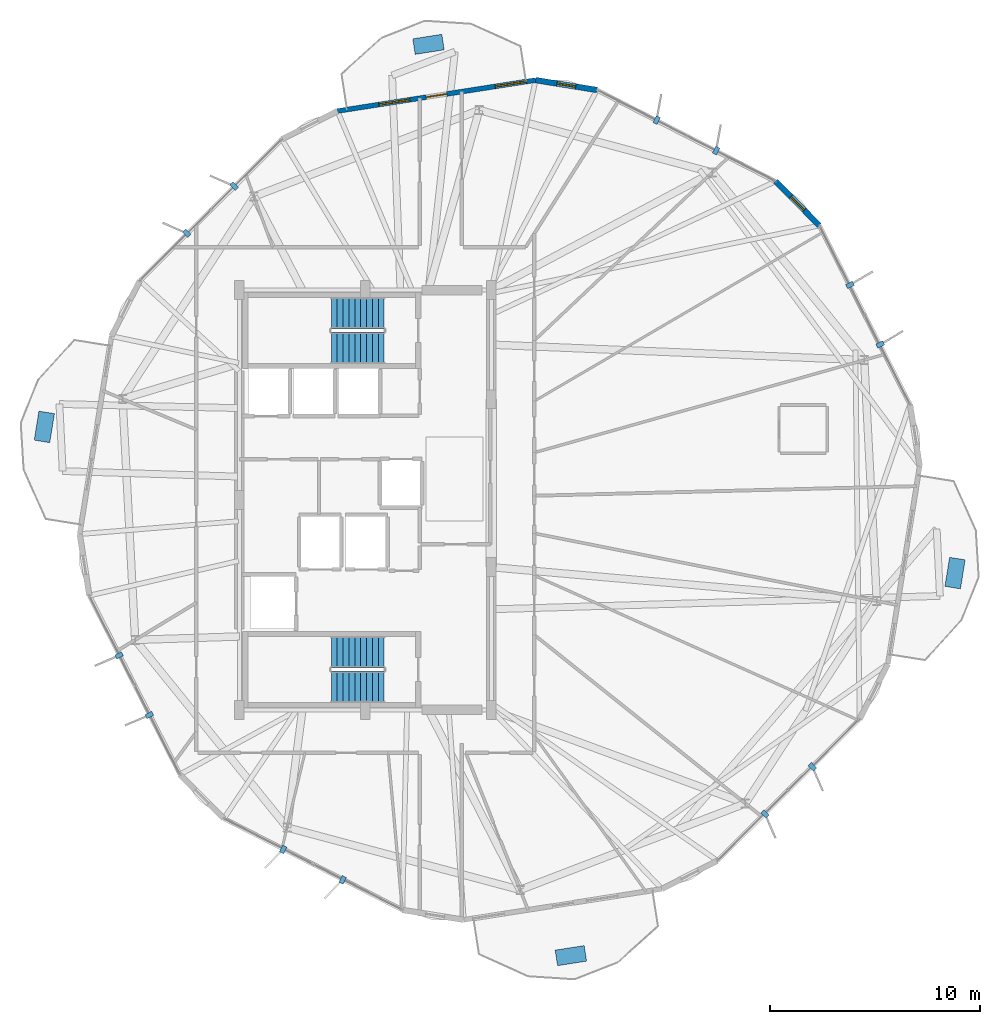
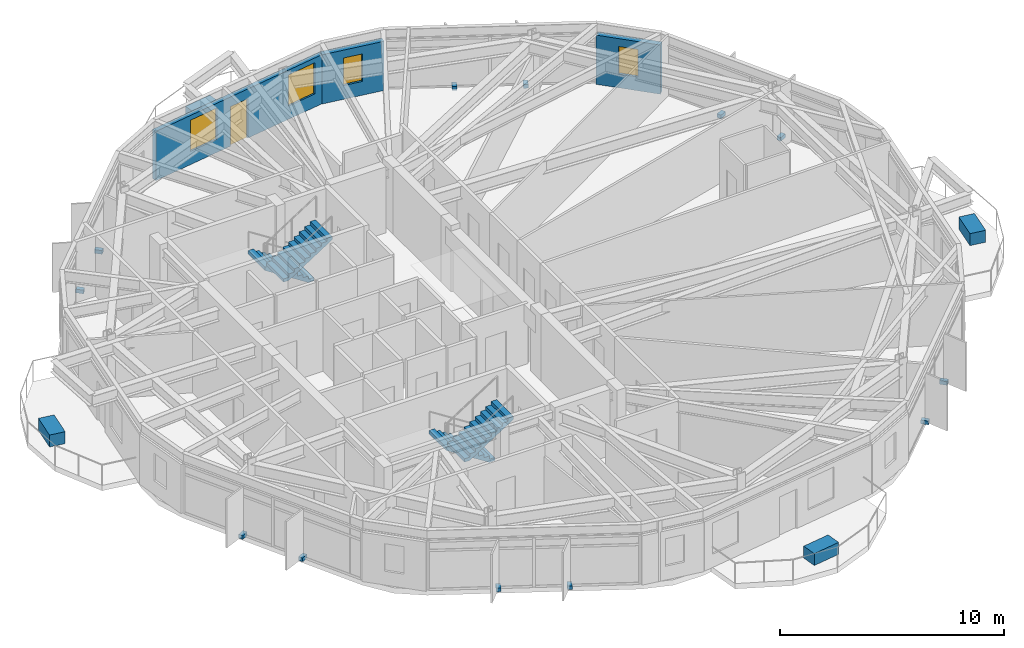
# One storey, part 24 of 27: 16 discrete accessories, 4 stair flights, 4 windows, 3 walls, 1 door, 5 openings, 2 elements without a shape of their own.
"""IFC4 building model written with IfcOpenShell, lengths in metres."""

from ifc_helpers import new_model, si_unit, direction, frame, frame_2d, origin, origin_2d, place, context, subcontext, project, spatial, polyline, rectangle, outline, extrude, material, layer, layer_set, type_object, element, fill, aggregate, save


model = new_model("IFC4")

# Units and contexts
model_context = context("Model", 3, precision=1e-05, world=origin(), true_north=direction((0.0, 1.0)))
body_context = subcontext(model_context, "Body", "Model", "MODEL_VIEW")
ifc_project = project(units=[si_unit("LENGTHUNIT", "METRE"), si_unit("AREAUNIT", "SQUARE_METRE"), si_unit("VOLUMEUNIT", "CUBIC_METRE"), si_unit("PLANEANGLEUNIT", "RADIAN"), si_unit("MASSUNIT", "GRAM", prefix="KILO")], contexts=[model_context])

# Site, building, storey
site_placement = place(None, origin())
site = spatial("IfcSite", under=ifc_project, at=site_placement, CompositionType="ELEMENT")
building_placement = place(site_placement, origin())
building = spatial("IfcBuilding", under=site, at=building_placement, Name="Soratama Intermodal Tower", CompositionType="ELEMENT")
storey_placement = place(building_placement, frame((0.0, 0.0, 197.800048828125)))
storey = spatial("IfcBuildingStorey", under=building, at=storey_placement, Name="L49", CompositionType="ELEMENT", Elevation=197.800048828125)

# Wall, openings, door, windows
ifc_material_1 = material(Name="Concrete f'c 42 MPa", Category="concrete")
ifc_layer_1 = layer(ifc_material_1, 0.22998046875)
ifc_layer_set_1 = layer_set([ifc_layer_1], Name="Concrete f'c 42 MPa")
wall_type_1 = type_object("IfcWallType", Name="EW-BAL-230", PredefinedType="SOLIDWALL", material=ifc_layer_set_1)
wall_1_placement = place(storey_placement, frame((46.708984375, 45.003173828125, 0.0), z_axis=(0.0, 0.0, 1.0), x_axis=(-0.988013251918, -0.154369083801, 0.0)))
wall_1 = element("IfcWall", 1, at=wall_1_placement, inside=storey, type_object=wall_type_1, Name="L49 Terrace Wall F02", PredefinedType="SOLIDWALL", context=body_context, shape_type="SweptSolid", body=[
    extrude(rectangle(XDim=9.552490234375, YDim=0.22998046875, at=frame_2d((4.7763671875, 0.0))), origin(), (0.0, 0.0, 1.0), 2.678955078125),
])
opening_1_placement = place(wall_1_placement, frame((4.276123046875, 0.0, 0.0)))
opening_1 = element("IfcOpeningElement", 2, at=opening_1_placement, cuts=wall_1, Name="Opening ED-2", PredefinedType="OPENING", context=body_context, shape_type="SweptSolid", body=[
    extrude(rectangle(XDim=1.0, YDim=2.14990234375, at=frame_2d((0.5, 1.074951171875))), frame((0.0, 0.125, 0.0), z_axis=(0.0, -1.0, 0.0), x_axis=(1.0, 0.0, 0.0)), (0.0, 0.0, 1.0), 0.25),
])
opening_2_placement = place(wall_1_placement, frame((0.43994140625, 0.0, 0.719970703125)))
opening_2 = element("IfcOpeningElement", 3, at=opening_2_placement, cuts=wall_1, Name="Opening WN-1", PredefinedType="OPENING", context=body_context, shape_type="SweptSolid", body=[
    extrude(rectangle(XDim=1.5, YDim=1.699951171875, at=frame_2d((0.75, 0.85009765625))), frame((0.0, 0.125, 0.0), z_axis=(0.0, -1.0, 0.0), x_axis=(1.0, 0.0, 0.0)), (0.0, 0.0, 1.0), 0.25),
])
opening_3_placement = place(wall_1_placement, frame((6.0576171875, 0.0, 0.719970703125)))
opening_3 = element("IfcOpeningElement", 4, at=opening_3_placement, cuts=wall_1, Name="Opening WN-1", PredefinedType="OPENING", context=body_context, shape_type="SweptSolid", body=[
    extrude(rectangle(XDim=1.5, YDim=1.699951171875, at=frame_2d((0.75, 0.85009765625))), frame((0.0, 0.125, 0.0), z_axis=(0.0, -1.0, 0.0), x_axis=(1.0, 0.0, 0.0)), (0.0, 0.0, 1.0), 0.25),
])
ifc_material_2 = material(Name="Double-glazed aluminium door", Category="aluminium")
door_type = type_object("IfcDoorType", Name="DR-BAL-1000", OperationType="NOTDEFINED", PredefinedType="DOOR", material=ifc_material_2)
door_placement = place(opening_1_placement, origin())
door = element("IfcDoor", 5, at=door_placement, inside=storey, type_object=door_type, Name="L49 Balcony Door F02", OperationType="SINGLE_SWING_RIGHT", OverallHeight=2.14990234375, OverallWidth=1.0, PredefinedType="DOOR", context=body_context, shape_type="SweptSolid", body=[
    extrude(rectangle(XDim=1.0, YDim=2.14990234375, at=frame_2d((0.5, 1.074951171875))), frame((0.0, 0.02490234375, 0.0), z_axis=(0.0, -1.0, 0.0), x_axis=(1.0, 0.0, 0.0)), (0.0, 0.0, 1.0), 0.050048828125),
])
fill(opening_1, door)
ifc_material_3 = material(Name="Double-glazed aluminium window", Category="aluminium")
window_type_1 = type_object("IfcWindowType", Name="WN-FAC-1500", PartitioningType="SINGLE_PANEL", PredefinedType="WINDOW", material=ifc_material_3)
window_1_placement = place(opening_2_placement, origin())
window_1 = element("IfcWindow", 6, at=window_1_placement, inside=storey, type_object=window_type_1, Name="L49 Window A F02", OverallHeight=1.699951171875, OverallWidth=1.5, PartitioningType="SINGLE_PANEL", PredefinedType="WINDOW", context=body_context, shape_type="SweptSolid", body=[
    extrude(rectangle(XDim=1.5, YDim=1.699951171875, at=frame_2d((0.75, 0.85009765625))), frame((0.0, 0.030029296875, 0.0), z_axis=(0.0, -1.0, 0.0), x_axis=(1.0, 0.0, 0.0)), (0.0, 0.0, 1.0), 0.06005859375),
])
fill(opening_2, window_1)
window_2_placement = place(opening_3_placement, origin())
window_2 = element("IfcWindow", 7, at=window_2_placement, inside=storey, type_object=window_type_1, Name="L49 Window B F02", OverallHeight=1.699951171875, OverallWidth=1.5, PartitioningType="SINGLE_PANEL", PredefinedType="WINDOW", context=body_context, shape_type="SweptSolid", body=[
    extrude(rectangle(XDim=1.5, YDim=1.699951171875, at=frame_2d((0.75, 0.85009765625))), frame((0.0, 0.030029296875, 0.0), z_axis=(0.0, -1.0, 0.0), x_axis=(1.0, 0.0, 0.0)), (0.0, 0.0, 1.0), 0.06005859375),
])
fill(opening_3, window_2)

# Wall, opening, window
ifc_material_4 = material(Name="Concrete f'c 42 MPa", Category="concrete")
ifc_layer_2 = layer(ifc_material_4, 0.27001953125)
ifc_layer_set_2 = layer_set([ifc_layer_2], Name="Concrete f'c 42 MPa")
wall_type_2 = type_object("IfcWallType", Name="EW-CRN-270", PredefinedType="SOLIDWALL", material=ifc_layer_set_2)
wall_2_placement = place(storey_placement, frame((49.637939453125, 44.532958984375, 0.0), z_axis=(0.0, 0.0, 1.0), x_axis=(-0.987357295895, 0.158510473609, 0.0)))
wall_2 = element("IfcWall", 8, at=wall_2_placement, inside=storey, type_object=wall_type_2, Name="L49 Corner Closure Wall 01", PredefinedType="SOLIDWALL", context=body_context, shape_type="SweptSolid", body=[
    extrude(rectangle(XDim=2.966552734375, YDim=0.27001953125, at=frame_2d((1.4833984375, 0.0))), origin(), (0.0, 0.0, 1.0), 2.678955078125),
])
opening_4_placement = place(wall_2_placement, frame((1.033203125, 0.0, 0.75)))
opening_4 = element("IfcOpeningElement", 9, at=opening_4_placement, cuts=wall_2, Name="Opening WN-6", PredefinedType="OPENING", context=body_context, shape_type="SweptSolid", body=[
    extrude(rectangle(XDim=0.89990234375, YDim=1.5, at=frame_2d((0.449951171875, 0.75))), frame((0.0, 0.14501953125, 0.0), z_axis=(0.0, -1.0, 0.0), x_axis=(1.0, 0.0, 0.0)), (0.0, 0.0, 1.0), 0.2900390625),
])
ifc_material_5 = material(Name="Double-glazed aluminium window", Category="aluminium")
window_type_2 = type_object("IfcWindowType", Name="WN-FAC-900", PartitioningType="SINGLE_PANEL", PredefinedType="WINDOW", material=ifc_material_5)
window_3_placement = place(opening_4_placement, origin())
window_3 = element("IfcWindow", 10, at=window_3_placement, inside=storey, type_object=window_type_2, Name="L49 Corner Window 01", OverallHeight=1.5, OverallWidth=0.89990234375, PartitioningType="SINGLE_PANEL", PredefinedType="WINDOW", context=body_context, shape_type="SweptSolid", body=[
    extrude(rectangle(XDim=0.89990234375, YDim=1.5, at=frame_2d((0.449951171875, 0.75))), frame((0.0, 0.030029296875, 0.0), z_axis=(0.0, -1.0, 0.0), x_axis=(1.0, 0.0, 0.0)), (0.0, 0.0, 1.0), 0.06005859375),
])
fill(opening_4, window_3)

wall_3_placement = place(storey_placement, frame((60.2333984375, 38.076416015625, 0.0), z_axis=(0.0, 0.0, 1.0), x_axis=(-0.705623863774, 0.708586595183, 0.0)))
wall_3 = element("IfcWall", 11, at=wall_3_placement, inside=storey, type_object=wall_type_2, Name="L49 Corner Closure Wall 10", PredefinedType="SOLIDWALL", context=body_context, shape_type="SweptSolid", body=[
    extrude(rectangle(XDim=2.966552734375, YDim=0.27001953125, at=frame_2d((1.4833984375, 0.0))), origin(), (0.0, 0.0, 1.0), 2.678955078125),
])
opening_5_placement = place(wall_3_placement, frame((1.033203125, 0.0, 0.75)))
opening_5 = element("IfcOpeningElement", 12, at=opening_5_placement, cuts=wall_3, Name="Opening WN-6", PredefinedType="OPENING", context=body_context, shape_type="SweptSolid", body=[
    extrude(rectangle(XDim=0.89990234375, YDim=1.5, at=frame_2d((0.449951171875, 0.75))), frame((0.0, 0.14501953125, 0.0), z_axis=(0.0, -1.0, 0.0), x_axis=(1.0, 0.0, 0.0)), (0.0, 0.0, 1.0), 0.2900390625),
])
window_4_placement = place(opening_5_placement, origin())
window_4 = element("IfcWindow", 13, at=window_4_placement, inside=storey, type_object=window_type_2, Name="L49 Corner Window 10", OverallHeight=1.5, OverallWidth=0.89990234375, PartitioningType="SINGLE_PANEL", PredefinedType="WINDOW", context=body_context, shape_type="SweptSolid", body=[
    extrude(rectangle(XDim=0.89990234375, YDim=1.5, at=frame_2d((0.449951171875, 0.75))), frame((0.0, 0.030029296875, 0.0), z_axis=(0.0, -1.0, 0.0), x_axis=(1.0, 0.0, 0.0)), (0.0, 0.0, 1.0), 0.06005859375),
])
fill(opening_5, window_4)

# Stair, stair flights
ifc_material_6 = material(Name="Concrete f'c 42 MPa", Category="concrete")
stair_type = type_object("IfcStairType", Name="ST-CORE-DOGLEG", PredefinedType="HALF_TURN_STAIR", material=ifc_material_6)
stair_1_placement = place(storey_placement, origin())
stair_1 = element("IfcStair", 14, at=stair_1_placement, inside=storey, type_object=stair_type, Name="L49 ST-1", PredefinedType="HALF_TURN_STAIR")
ifc_material_7 = material(Name="Precast concrete f'c 40 MPa", Category="concrete")
ifc_layer_3 = layer(ifc_material_7, 0.199951171875)
ifc_layer_set_3 = layer_set([ifc_layer_3], Name="Precast concrete f'c 40 MPa")
stair_flight_type = type_object("IfcStairFlightType", Name="SF-FLIGHT-RC", PredefinedType="STRAIGHT", material=ifc_layer_set_3)
stair_flight_1_placement = place(storey_placement, frame((39.5, 17.75, 0.0), z_axis=(0.0, 0.0, 1.0), x_axis=(-1.0, 0.0, 0.0)))
stair_flight_1 = element("IfcStairFlight", 15, at=stair_flight_1_placement, type_object=stair_flight_type, Name="ST-1 flight 1", NumberOfRisers=10, NumberOfTreads=9, PredefinedType="STRAIGHT", RiserHeight=0.18, TreadLength=0.28, context=body_context, shape_type="SweptSolid", body=[
    extrude(outline(polyline([(0.0, 0.0), (0.0, 0.179931640625), (0.280029296875, 0.179931640625), (0.280029296875, 0.360107421875), (0.56005859375, 0.360107421875), (0.56005859375, 0.5400390625), (0.840087890625, 0.5400390625), (0.840087890625, 0.719970703125), (1.1201171875, 0.719970703125), (1.1201171875, 0.89990234375), (1.39990234375, 0.89990234375), (1.39990234375, 1.080078125), (1.679931640625, 1.080078125), (1.679931640625, 1.260009765625), (1.9599609375, 1.260009765625), (1.9599609375, 1.43994140625), (2.239990234375, 1.43994140625), (2.239990234375, 1.6201171875), (2.52001953125, 1.6201171875), (2.52001953125, 1.800048828125), (2.52001953125, 1.44189453125), (0.277099609375, 0.0), (0.0, 0.0)])), frame((0.0, 0.75, 0.0), z_axis=(0.0, -1.0, 0.0), x_axis=(1.0, 0.0, 0.0)), (0.0, 0.0, 1.0), 1.5),
])
stair_flight_2_placement = place(storey_placement, frame((36.97998046875, 16.10009765625, 1.800048828125), z_axis=(0.0, 0.0, 1.0), x_axis=(1.0, 0.0, 0.0)))
stair_flight_2 = element("IfcStairFlight", 16, at=stair_flight_2_placement, type_object=stair_flight_type, Name="ST-1 flight 2", NumberOfRisers=10, NumberOfTreads=9, PredefinedType="STRAIGHT", RiserHeight=0.18, TreadLength=0.28, context=body_context, shape_type="SweptSolid", body=[
    extrude(outline(polyline([(0.0, 0.0), (0.0, 0.179931640625), (0.280029296875, 0.179931640625), (0.280029296875, 0.360107421875), (0.56005859375, 0.360107421875), (0.56005859375, 0.5400390625), (0.840087890625, 0.5400390625), (0.840087890625, 0.719970703125), (1.1201171875, 0.719970703125), (1.1201171875, 0.89990234375), (1.39990234375, 0.89990234375), (1.39990234375, 1.080078125), (1.679931640625, 1.080078125), (1.679931640625, 1.260009765625), (1.9599609375, 1.260009765625), (1.9599609375, 1.43994140625), (2.239990234375, 1.43994140625), (2.239990234375, 1.6201171875), (2.52001953125, 1.6201171875), (2.52001953125, 1.800048828125), (2.52001953125, 1.44189453125), (0.277099609375, 0.0), (0.0, 0.0)])), frame((0.0, 0.75, 0.0), z_axis=(0.0, -1.0, 0.0), x_axis=(1.0, 0.0, 0.0)), (0.0, 0.0, 1.0), 1.5),
])
aggregate(stair_1, [stair_flight_1, stair_flight_2])

stair_2_placement = place(storey_placement, origin())
stair_2 = element("IfcStair", 17, at=stair_2_placement, inside=storey, type_object=stair_type, Name="L49 ST-2", PredefinedType="HALF_TURN_STAIR")
stair_flight_3_placement = place(storey_placement, frame((39.5, 33.89990234375, 0.0), z_axis=(0.0, 0.0, 1.0), x_axis=(-1.0, 0.0, 0.0)))
stair_flight_3 = element("IfcStairFlight", 18, at=stair_flight_3_placement, type_object=stair_flight_type, Name="ST-2 flight 1", NumberOfRisers=10, NumberOfTreads=9, PredefinedType="STRAIGHT", RiserHeight=0.18, TreadLength=0.28, context=body_context, shape_type="SweptSolid", body=[
    extrude(outline(polyline([(0.0, 0.0), (0.0, 0.179931640625), (0.280029296875, 0.179931640625), (0.280029296875, 0.360107421875), (0.56005859375, 0.360107421875), (0.56005859375, 0.5400390625), (0.840087890625, 0.5400390625), (0.840087890625, 0.719970703125), (1.1201171875, 0.719970703125), (1.1201171875, 0.89990234375), (1.39990234375, 0.89990234375), (1.39990234375, 1.080078125), (1.679931640625, 1.080078125), (1.679931640625, 1.260009765625), (1.9599609375, 1.260009765625), (1.9599609375, 1.43994140625), (2.239990234375, 1.43994140625), (2.239990234375, 1.6201171875), (2.52001953125, 1.6201171875), (2.52001953125, 1.800048828125), (2.52001953125, 1.44189453125), (0.277099609375, 0.0), (0.0, 0.0)])), frame((0.0, 0.75, 0.0), z_axis=(0.0, -1.0, 0.0), x_axis=(1.0, 0.0, 0.0)), (0.0, 0.0, 1.0), 1.5),
])
stair_flight_4_placement = place(storey_placement, frame((36.97998046875, 32.25, 1.800048828125), z_axis=(0.0, 0.0, 1.0), x_axis=(1.0, 0.0, 0.0)))
stair_flight_4 = element("IfcStairFlight", 19, at=stair_flight_4_placement, type_object=stair_flight_type, Name="ST-2 flight 2", NumberOfRisers=10, NumberOfTreads=9, PredefinedType="STRAIGHT", RiserHeight=0.18, TreadLength=0.28, context=body_context, shape_type="SweptSolid", body=[
    extrude(outline(polyline([(0.0, 0.0), (0.0, 0.179931640625), (0.280029296875, 0.179931640625), (0.280029296875, 0.360107421875), (0.56005859375, 0.360107421875), (0.56005859375, 0.5400390625), (0.840087890625, 0.5400390625), (0.840087890625, 0.719970703125), (1.1201171875, 0.719970703125), (1.1201171875, 0.89990234375), (1.39990234375, 0.89990234375), (1.39990234375, 1.080078125), (1.679931640625, 1.080078125), (1.679931640625, 1.260009765625), (1.9599609375, 1.260009765625), (1.9599609375, 1.43994140625), (2.239990234375, 1.43994140625), (2.239990234375, 1.6201171875), (2.52001953125, 1.6201171875), (2.52001953125, 1.800048828125), (2.52001953125, 1.44189453125), (0.277099609375, 0.0), (0.0, 0.0)])), frame((0.0, 0.75, 0.0), z_axis=(0.0, -1.0, 0.0), x_axis=(1.0, 0.0, 0.0)), (0.0, 0.0, 1.0), 1.5),
])
aggregate(stair_2, [stair_flight_3, stair_flight_4])

# Discrete accessories
ifc_material_8 = material(Name="Structural steel ASTM A992 Grade 50", Category="steel")
discrete_accessory_type_1 = type_object("IfcDiscreteAccessoryType", Name="AC-FIN-BRACKET", PredefinedType="BRACKET", material=ifc_material_8)
for number, where, z_axis, x_axis, name in (
    (20, (55.315185546875, 41.647705078125, -0.080078125), (0.0, 0.0, 1.0), (0.455855622363, 0.890053735209, 0.0), "L49 Fin Bracket F01-1"),
    (21, (52.481201171875, 43.099365234375, -0.080078125), (0.0, 0.0, 1.0), (0.455855622363, 0.890053735209, 0.0), "L49 Fin Bracket F01-2"),
    (22, (32.3544921875, 39.95458984375, -0.080078125), (0.0, 0.0, 1.0), (-0.705624270432, 0.708586190225, 0.0), "L49 Fin Bracket F03-1"),
    (23, (30.098388671875, 37.7080078125, -0.080078125), (0.0, 0.0, 1.0), (-0.705624270432, 0.708586190225, 0.0), "L49 Fin Bracket F03-2"),
    (24, (26.86962890625, 17.5947265625, -0.080078125), (0.0, 0.0, 1.0), (-0.891955404777, -0.452123385691, 0.0), "L49 Fin Bracket F05-1"),
    (25, (28.30908203125, 14.754638671875, -0.080078125), (0.0, 0.0, 1.0), (-0.891955404777, -0.452123385691, 0.0), "L49 Fin Bracket F05-2"),
    (26, (34.684814453125, 8.352294921875, -0.080078125), (0.0, 0.0, 1.0), (-0.455855622364, -0.890053735209, 0.0), "L49 Fin Bracket F06-1"),
    (27, (37.518798828125, 6.900634765625, -0.080078125), (0.0, 0.0, 1.0), (-0.455855622364, -0.890053735209, 0.0), "L49 Fin Bracket F06-2"),
    (28, (57.6455078125, 10.04541015625, -0.080078125), (0.0, 0.0, 1.0), (0.705624270432, -0.708586190225, 0.0), "L49 Fin Bracket F08-1"),
    (29, (59.901611328125, 12.2919921875, -0.080078125), (0.0, 0.0, 1.0), (0.705624270432, -0.708586190225, 0.0), "L49 Fin Bracket F08-2"),
    (30, (63.13037109375, 32.4052734375, -0.080078125), (0.0, 0.0, 1.0), (0.891955404777, 0.452123385691, 0.0), "L49 Fin Bracket F10-1"),
    (31, (61.69091796875, 35.245361328125, -0.080078125), (0.0, 0.0, 1.0), (0.891955404777, 0.452123385691, 0.0), "L49 Fin Bracket F10-2"),
):
    element("IfcDiscreteAccessory", number, at=place(storey_placement, frame(where, z_axis=z_axis, x_axis=x_axis)), inside=storey, type_object=discrete_accessory_type_1, Name=name, PredefinedType="BRACKET", context=body_context, shape_type="SweptSolid", body=[
        extrude(rectangle(XDim=0.360107421875, YDim=0.219970703125, at=origin_2d()), origin(), (0.0, 0.0, 1.0), 0.199951171875),
    ])
ifc_material_9 = material(Name="Precast concrete f'c 40 MPa", Category="concrete")
discrete_accessory_type_2 = type_object("IfcDiscreteAccessoryType", Name="AC-PLANTER-TREE", PredefinedType="USERDEFINED", material=ifc_material_9)
for number, where, z_axis, x_axis, name in (
    (32, (66.69189453125, 21.517822265625, 0.0), (0.0, 0.0, 1.0), (0.987358539015, -0.158502730052, 0.0), "L49 Tree Planter 1"),
    (33, (41.608642578125, 46.706298828125, 0.0), (0.0, 0.0, 1.0), (-0.15436551383, 0.988013809691, 0.0), "L49 Tree Planter 2"),
    (34, (23.30810546875, 28.482177734375, 0.0), (0.0, 0.0, 1.0), (-0.987358539015, 0.158502730052, 0.0), "L49 Tree Planter 3"),
    (35, (48.391357421875, 3.293701171875, 0.0), (0.0, 0.0, 1.0), (0.15436551383, -0.988013809691, 0.0), "L49 Tree Planter 4"),
):
    element("IfcDiscreteAccessory", number, at=place(storey_placement, frame(where, z_axis=z_axis, x_axis=x_axis)), inside=storey, type_object=discrete_accessory_type_2, Name=name, ObjectType="PLANTER", PredefinedType="USERDEFINED", context=body_context, shape_type="SweptSolid", body=[
        extrude(rectangle(XDim=0.75, YDim=1.39990234375, at=origin_2d()), origin(), (0.0, 0.0, 1.0), 0.64990234375),
    ])

save(model, "model.ifc")
